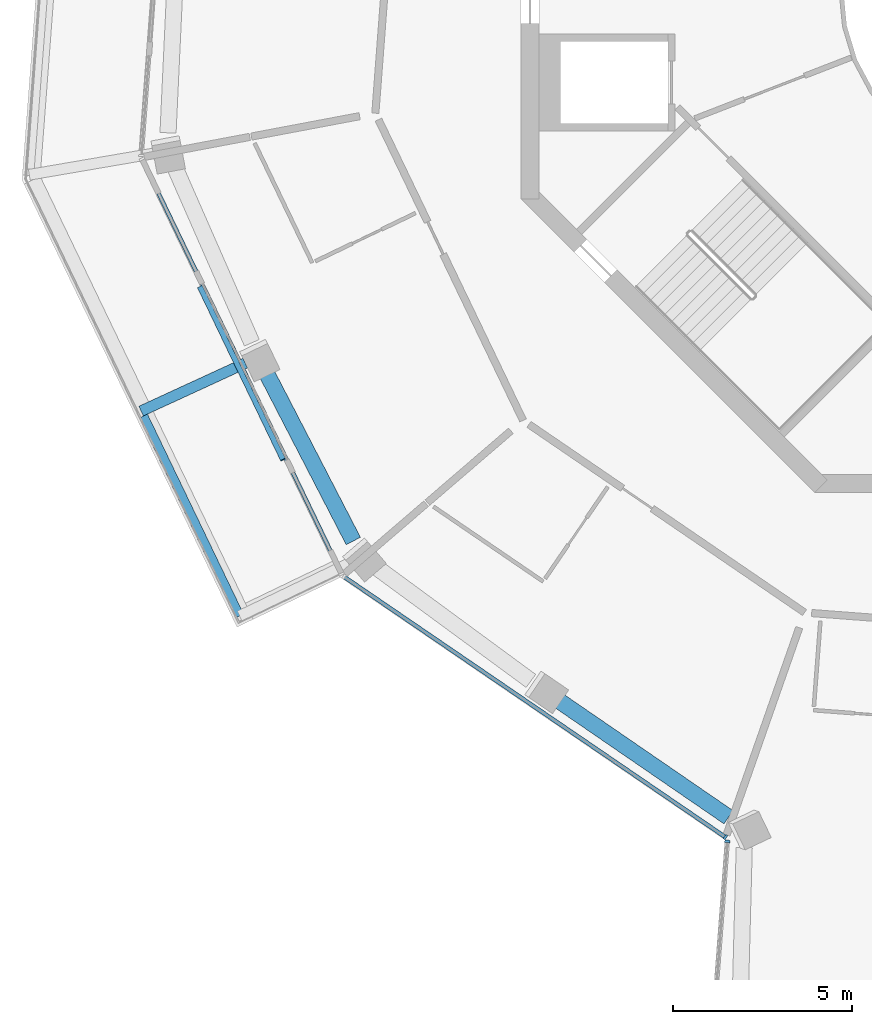
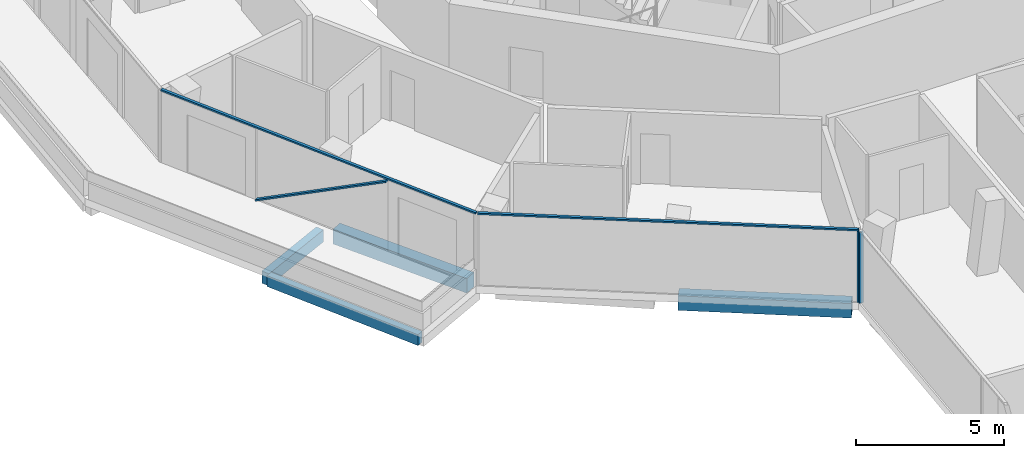
# One storey, part 3 of 23: 5 members, 4 beams, 3 elements without a shape of their own.
"""IFC4 building model written with IfcOpenShell, lengths in metres."""

import ifcopenshell
import ifcopenshell.guid

model = None  # the IFC model being written
_history = None  # IfcOwnerHistory: only IFC2X3 demands one
_inside = {}  # id of a spatial element -> (the spatial element, [elements in it])
_under = {}  # id of a project, library or spatial element -> (it, [spatial elements below it])
_declared = {}  # id of a project -> (the project, [libraries it declares])
_typed = {}  # id of a type object -> (the type object, [elements of that type])
_made_of = {}  # id of a material, layer set ... -> (it, [elements and type objects made of it])


def new_model(schema):
    """Start an empty IFC model of exactly this schema.

    Asked for "IFC4X3", IfcOpenShell would pick the latest addendum, in which some entities
    have other attributes; the version numbers below select the first issue.
    IFC2X3 requires an IfcOwnerHistory on every rooted entity: one is made here for all.
    """
    global model, _history
    if schema == "IFC4X3":
        model = ifcopenshell.file(schema_version=(4, 3, 0, 0))
    else:
        model = ifcopenshell.file(schema=schema)
    _inside.clear()
    _under.clear()
    _declared.clear()
    _typed.clear()
    _made_of.clear()
    _history = None
    if model.schema == "IFC2X3":
        org = make("IfcOrganization", Name="unknown")
        user = make(
            "IfcPersonAndOrganization",
            ThePerson=make("IfcPerson", FamilyName="unknown"),
            TheOrganization=org,
        )
        app = make(
            "IfcApplication",
            ApplicationDeveloper=org,
            Version="unknown",
            ApplicationFullName="unknown",
            ApplicationIdentifier="unknown",
        )
        _history = make(
            "IfcOwnerHistory",
            OwningUser=user,
            OwningApplication=app,
            ChangeAction="ADDED",
            CreationDate=0,
        )
    return model


def make(cls, **values):
    """One entity of the class cls with the attributes given. An attribute that is None is left unset."""
    return model.create_entity(
        cls, **{name: value for name, value in values.items() if value is not None}
    )


def rooted(cls, **values):
    """An entity with a GlobalId (a new one), such as an element, a storey or a relation."""
    return make(cls, GlobalId=ifcopenshell.guid.new(), OwnerHistory=_history, **values)


def si_unit(unit_type, name, prefix=None):
    """IfcSIUnit, for example si_unit("LENGTHUNIT", "METRE", prefix="MILLI")."""
    return make("IfcSIUnit", UnitType=unit_type, Prefix=prefix, Name=name)


def assignment(units):
    """IfcUnitAssignment: the units of a project."""
    return None if units is None else make("IfcUnitAssignment", Units=units)


def point(xyz):
    """IfcCartesianPoint."""
    return None if xyz is None else make("IfcCartesianPoint", Coordinates=xyz)


def direction(xyz):
    """IfcDirection."""
    return None if xyz is None else make("IfcDirection", DirectionRatios=xyz)


def frame(location, z_axis=None, x_axis=None):
    """IfcAxis2Placement3D, a coordinate frame: its origin and axes. An axis left out is left unset."""
    return make(
        "IfcAxis2Placement3D",
        Location=point(location),
        Axis=direction(z_axis),
        RefDirection=direction(x_axis),
    )


def frame_2d(location, x_axis=None):
    """IfcAxis2Placement2D, a coordinate frame in the plane: its origin and x axis."""
    return make(
        "IfcAxis2Placement2D", Location=point(location), RefDirection=direction(x_axis)
    )


def origin():
    """The frame at (0, 0, 0) with its axes left unset."""
    return frame((0.0, 0.0, 0.0))


def origin_2d():
    """The frame at (0, 0) in the plane with its x axis left unset."""
    return frame_2d((0.0, 0.0))


def place(relative_to, where):
    """IfcLocalPlacement: puts the frame where relative to a parent placement (None: the world)."""
    return make(
        "IfcLocalPlacement", PlacementRelTo=relative_to, RelativePlacement=where
    )


def context(
    kind, dimensions, precision=None, world=None, true_north=None, identifier=None
):
    """IfcGeometricRepresentationContext, for example the 3D "Model" context."""
    return make(
        "IfcGeometricRepresentationContext",
        ContextIdentifier=identifier,
        ContextType=kind,
        CoordinateSpaceDimension=dimensions,
        Precision=precision,
        WorldCoordinateSystem=world,
        TrueNorth=true_north,
    )


def subcontext(parent, identifier, kind, view, scale=None):
    """IfcGeometricRepresentationSubContext, for example "Body" below "Model"."""
    return make(
        "IfcGeometricRepresentationSubContext",
        ContextIdentifier=identifier,
        ContextType=kind,
        ParentContext=parent,
        TargetScale=scale,
        TargetView=view,
    )


def project(units=None, contexts=None):
    """IfcProject with its units and contexts."""
    return rooted(
        "IfcProject",
        Name="project",
        RepresentationContexts=contexts,
        UnitsInContext=assignment(units),
    )


def spatial(cls, under=None, at=None, **own):
    """A site, building, storey or space (cls), placed at a placement, below another one or the project."""
    s = rooted(cls, ObjectPlacement=at, **own)
    if under is not None:
        _under.setdefault(under.id(), (under, []))[1].append(s)
    return s


def profile(cls, at=None, kind="AREA", **sizes):
    """A parametric profile (cls). Its sizes go by their IFC names, for example OverallWidth=200.0."""
    return make(cls, ProfileType=kind, Position=at, **sizes)


def rectangle(**sizes):
    """IfcRectangleProfileDef."""
    return profile("IfcRectangleProfileDef", **sizes)


def extrude(swept, where, along, depth):
    """IfcExtrudedAreaSolid: the profile swept, set in the frame where, extruded along a direction by depth."""
    return make(
        "IfcExtrudedAreaSolid",
        SweptArea=swept,
        Position=where,
        ExtrudedDirection=direction(along),
        Depth=depth,
    )


def shape(context_of_items, identifier, shape_type, items):
    """IfcShapeRepresentation: the items that make up one representation, for example the "Body"."""
    return make(
        "IfcShapeRepresentation",
        ContextOfItems=context_of_items,
        RepresentationIdentifier=identifier,
        RepresentationType=shape_type,
        Items=items,
    )


def material(Name=None, Category=None):
    """IfcMaterial."""
    return make("IfcMaterial", Name=Name, Category=Category)


def layer(
    of_material, thickness, ventilated=None, Name=None, Category=None, Priority=None
):
    """IfcMaterialLayer: one layer of a wall or slab, of a material (None: an air gap)."""
    return make(
        "IfcMaterialLayer",
        Material=of_material,
        LayerThickness=thickness,
        IsVentilated=ventilated,
        Name=Name,
        Category=Category,
        Priority=Priority,
    )


def layer_set(layers, Name=None):
    """IfcMaterialLayerSet."""
    return make("IfcMaterialLayerSet", MaterialLayers=layers, LayerSetName=Name)


def material_profile(
    of_material, cross_section, Name=None, Category=None, Priority=None
):
    """IfcMaterialProfile: a cross section and its material."""
    return make(
        "IfcMaterialProfile",
        Name=Name,
        Material=of_material,
        Profile=cross_section,
        Priority=Priority,
        Category=Category,
    )


def profile_set(profiles, Name=None, composite=None):
    """IfcMaterialProfileSet."""
    return make(
        "IfcMaterialProfileSet",
        Name=Name,
        MaterialProfiles=profiles,
        CompositeProfile=composite,
    )


def made_of(thing, what):
    """Note that an element or type object is made of a material, layer set ...; save() writes the relation."""
    if what is not None:
        _made_of.setdefault(what.id(), (what, []))[1].append(thing)
    return thing


def type_object(cls, material=None, **own):
    """A type object (cls), such as IfcWallType, which elements share."""
    return made_of(rooted(cls, **own), material)


def element(
    cls,
    number,
    at=None,
    inside=None,
    cuts=None,
    type_object=None,
    material=None,
    context=None,
    identifier="Body",
    shape_type=None,
    held_by="IfcProductDefinitionShape",
    body=None,
    shapes=None,
    **own,
):
    """One element of the class cls, such as IfcWall. Its Tag is "e" and its number.

    at: its placement. inside: the storey or other place that contains it. cuts: it is an
    opening in that element (IfcRelVoidsElement). A single representation is given by context,
    identifier, shape_type and body (its items); several are given by shapes. held_by: the class
    of the entity that holds the representations. save() writes the other relations.
    """
    e = rooted(cls, Tag="e%d" % number, ObjectPlacement=at, **own)
    if body is not None:
        shapes = [shape(context, identifier, shape_type, body)]
    if shapes is not None:
        e.Representation = make(held_by, Representations=shapes)
    if inside is not None:
        _inside.setdefault(inside.id(), (inside, []))[1].append(e)
    if cuts is not None:
        rooted(
            "IfcRelVoidsElement", RelatingBuildingElement=cuts, RelatedOpeningElement=e
        )
    if type_object is not None:
        _typed.setdefault(type_object.id(), (type_object, []))[1].append(e)
    return made_of(e, material)


def aggregate(whole, parts):
    """IfcRelAggregates: a whole, such as a stair, and the parts it consists of."""
    return rooted("IfcRelAggregates", RelatingObject=whole, RelatedObjects=parts)


def save(model, path):
    """Write the relations noted so far, then the file.

    IfcRelAggregates (storeys below a building ...), IfcRelContainedInSpatialStructure (elements
    in a storey), IfcRelDefinesByType, IfcRelAssociatesMaterial and IfcRelDeclares: one each for
    every whole, place, type object, material and project.
    """
    for whole, parts in _under.values():
        aggregate(whole, parts)
    for where, things in _inside.values():
        rooted(
            "IfcRelContainedInSpatialStructure",
            RelatedElements=things,
            RelatingStructure=where,
        )
    for kind, things in _typed.values():
        rooted("IfcRelDefinesByType", RelatedObjects=things, RelatingType=kind)
    for what, things in _made_of.values():
        rooted("IfcRelAssociatesMaterial", RelatedObjects=things, RelatingMaterial=what)
    for by, libraries in _declared.values():
        rooted("IfcRelDeclares", RelatingContext=by, RelatedDefinitions=libraries)
    model.write(path)


model = new_model("IFC4")

# Units and contexts
model_context = context("Model", 3, precision=1e-05, world=origin(), true_north=direction((0.0, 1.0)))
body_context = subcontext(model_context, "Body", "Model", "MODEL_VIEW")
ifc_project = project(units=[si_unit("LENGTHUNIT", "METRE"), si_unit("AREAUNIT", "SQUARE_METRE"), si_unit("VOLUMEUNIT", "CUBIC_METRE"), si_unit("PLANEANGLEUNIT", "RADIAN"), si_unit("MASSUNIT", "GRAM", prefix="KILO")], contexts=[model_context])

# Site, building, storey
site_placement = place(None, origin())
site = spatial("IfcSite", under=ifc_project, at=site_placement, CompositionType="ELEMENT")
building_placement = place(site_placement, origin())
building = spatial("IfcBuilding", under=site, at=building_placement, Name="Verdalira Terraces Hotel", CompositionType="ELEMENT")
storey_placement = place(building_placement, frame((0.0, 0.0, 259.5)))
storey = spatial("IfcBuildingStorey", under=building, at=storey_placement, Name="L64", CompositionType="ELEMENT", Elevation=259.5)

# Beams
ifc_material_1 = material(Name="Concrete C40", Category="concrete")
ifc_material_profile_1 = material_profile(ifc_material_1, rectangle(XDim=0.300049, YDim=0.5, at=origin_2d()), Name="RC 300X500")
ifc_profile_set_1 = profile_set([ifc_material_profile_1], Name="Concrete C40")
beam_type_1 = type_object("IfcBeamType", Name="Balcony cantilever beam RC 300X500 C40", PredefinedType="BEAM", material=ifc_profile_set_1)
beam_1_placement = place(storey_placement, frame((-21.699951, -10.387695, -0.560059), z_axis=(-0.908349663, -0.418211538, 0.0), x_axis=(0.418211538, -0.908349663, 0.0)))
element("IfcBeam", 1, at=beam_1_placement, inside=storey, type_object=beam_type_1, Name="Balcony cantilever beam R11-1", PredefinedType="BEAM", context=body_context, shape_type="SweptSolid", body=[
    extrude(rectangle(XDim=0.300049, YDim=0.5, at=origin_2d()), origin(), (0.0, 0.0, 1.0), 3.200928),
])
ifc_material_2 = material(Name="Concrete C40", Category="concrete")
ifc_material_profile_2 = material_profile(ifc_material_2, rectangle(XDim=0.25, YDim=0.449951, at=origin_2d()), Name="RC 250X450")
ifc_profile_set_2 = profile_set([ifc_material_profile_2], Name="Concrete C40")
beam_type_2 = type_object("IfcBeamType", Name="Balcony edge beam RC 250X450 C40", PredefinedType="BEAM", material=ifc_profile_set_2)
beam_2_placement = place(storey_placement, frame((-24.54248, -11.861572, -0.534912), z_axis=(0.433353521, -0.901224016, 0.0), x_axis=(0.901224016, 0.433353521, 0.0)))
element("IfcBeam", 2, at=beam_2_placement, inside=storey, type_object=beam_type_2, Name="Balcony edge beam R11-1", PredefinedType="BEAM", context=body_context, shape_type="SweptSolid", body=[
    extrude(rectangle(XDim=0.25, YDim=0.449951, at=origin_2d()), origin(), (0.0, 0.0, 1.0), 6.196045),
])

# Curtain wall, member
ifc_material_3 = material(Name="Clear glass", Category="glass")
ifc_layer_1 = layer(ifc_material_3, 0.14990234375)
ifc_layer_set_1 = layer_set([ifc_layer_1], Name="CW1 curtain wall")
curtain_wall_type_1 = type_object("IfcCurtainWallType", Name="CW1 curtain wall", PredefinedType="NOTDEFINED", material=ifc_layer_set_1)
curtain_wall_1_placement = place(storey_placement, origin())
curtain_wall_1 = element("IfcCurtainWall", 3, at=curtain_wall_1_placement, inside=storey, type_object=curtain_wall_type_1, Name="CW1 curtain wall L64 edge 13", PredefinedType="NOTDEFINED")
ifc_material_4 = material(Name="Terracotta frame", Category="masonry")
ifc_material_profile_3 = material_profile(ifc_material_4, rectangle(XDim=0.060059, YDim=0.149902, at=origin_2d()), Name="MU 60x150")
ifc_profile_set_3 = profile_set([ifc_material_profile_3], Name="Terracotta frame")
member_type_1 = type_object("IfcMemberType", Name="CW1 mullion 60x150", PredefinedType="MULLION", material=ifc_profile_set_3)
member_1_placement = place(storey_placement, frame((-8.29126, -23.62085, 0.0), z_axis=(0.0, 0.0, 1.0), x_axis=(0.825901536, -0.563814377, 0.0)))
member_1 = element("IfcMember", 4, at=member_1_placement, type_object=member_type_1, Name="CW1 mullion", PredefinedType="MULLION", context=body_context, shape_type="SweptSolid", body=[
    extrude(rectangle(XDim=0.060059, YDim=0.149902, at=origin_2d()), origin(), (0.0, 0.0, 1.0), 2.935059),
])

curtain_wall_2_placement = place(storey_placement, origin())
curtain_wall_2 = element("IfcCurtainWall", 5, at=curtain_wall_2_placement, inside=storey, type_object=curtain_wall_type_1, Name="CW1 curtain wall L64 edge 12", PredefinedType="NOTDEFINED")
ifc_material_5 = material(Name="Terracotta frame", Category="masonry")
ifc_material_profile_4 = material_profile(ifc_material_5, rectangle(XDim=0.110107, YDim=0.064941, at=origin_2d()), Name="TR 65x110")
ifc_profile_set_4 = profile_set([ifc_material_profile_4], Name="Terracotta frame")
member_type_2 = type_object("IfcMemberType", Name="CW1 transom 65x110", PredefinedType="USERDEFINED", material=ifc_profile_set_4)
member_2_placement = place(storey_placement, frame((-24.593994, -4.657959, 2.967529), z_axis=(0.433342843, -0.90122915, 0.0), x_axis=(0.90122915, 0.433342843, 0.0)))
member_2 = element("IfcMember", 6, at=member_2_placement, type_object=member_type_2, Name="CW1 transom", ObjectType="TRANSOM", PredefinedType="USERDEFINED", context=body_context, shape_type="SweptSolid", body=[
    extrude(rectangle(XDim=0.110107, YDim=0.064941, at=origin_2d()), origin(), (0.0, 0.0, 1.0), 12.919678),
])

# Member
member_3_placement = place(storey_placement, frame((-18.969971, -16.330811, 2.967529), z_axis=(0.825890417, -0.563830665, 0.0), x_axis=(0.563830665, 0.825890417, 0.0)))
member_3 = element("IfcMember", 7, at=member_3_placement, type_object=member_type_2, Name="CW1 transom", ObjectType="TRANSOM", PredefinedType="USERDEFINED", context=body_context, shape_type="SweptSolid", body=[
    extrude(rectangle(XDim=0.110107, YDim=0.064941, at=origin_2d()), origin(), (0.0, 0.0, 1.0), 12.959717),
])

aggregate(curtain_wall_1, [member_1, member_3])

# Curtain wall, member
ifc_material_6 = material(Name="Clear glass", Category="glass")
ifc_layer_2 = layer(ifc_material_6, 0.14990234375)
ifc_layer_set_2 = layer_set([ifc_layer_2], Name="CW2 curtain wall")
curtain_wall_type_2 = type_object("IfcCurtainWallType", Name="CW2 curtain wall", PredefinedType="NOTDEFINED", material=ifc_layer_set_2)
curtain_wall_3_placement = place(storey_placement, origin())
curtain_wall_3 = element("IfcCurtainWall", 8, at=curtain_wall_3_placement, inside=storey, type_object=curtain_wall_type_2, Name="CW2 curtain wall L64 edge 14", PredefinedType="NOTDEFINED")
ifc_material_7 = material(Name="Terracotta frame", Category="masonry")
ifc_material_profile_5 = material_profile(ifc_material_7, rectangle(XDim=0.070068, YDim=0.149902, at=origin_2d()), Name="MU 70x150")
ifc_profile_set_5 = profile_set([ifc_material_profile_5], Name="Terracotta frame")
member_type_3 = type_object("IfcMemberType", Name="CW2 mullion 70x150", PredefinedType="MULLION", material=ifc_profile_set_5)
member_4_placement = place(storey_placement, frame((-8.236572, -23.740234, 0.0), z_axis=(0.0, 0.0, 1.0), x_axis=(-0.075326806, -0.9971589, 0.0)))
member_4 = element("IfcMember", 9, at=member_4_placement, type_object=member_type_3, Name="CW2 mullion", PredefinedType="MULLION", context=body_context, shape_type="SweptSolid", body=[
    extrude(rectangle(XDim=0.070068, YDim=0.149902, at=origin_2d()), origin(), (0.0, 0.0, 1.0), 2.935059),
])
aggregate(curtain_wall_3, [member_4])

# Member
ifc_material_8 = material(Name="Terracotta frame", Category="masonry")
ifc_material_profile_6 = material_profile(ifc_material_8, rectangle(XDim=0.149902, YDim=0.060059, at=origin_2d()), Name="GB 60x150")
ifc_profile_set_6 = profile_set([ifc_material_profile_6], Name="Terracotta frame")
member_type_4 = type_object("IfcMemberType", Name="Diagonal glazing bar 60x150", PredefinedType="USERDEFINED", material=ifc_profile_set_6)
member_5_placement = place(storey_placement, frame((-22.961426, -8.258789, 0.027344), z_axis=(0.381596319, -0.79359984, 0.473902461), x_axis=(0.901226731, 0.433347874, 0.0)))
member_5 = element("IfcMember", 10, at=member_5_placement, type_object=member_type_4, Name="Diagonal glazing bar", ObjectType="GLAZING BAR", PredefinedType="USERDEFINED", context=body_context, shape_type="SweptSolid", body=[
    extrude(rectangle(XDim=0.149902, YDim=0.060059, at=origin_2d()), origin(), (0.0, 0.0, 1.0), 6.077881),
])

aggregate(curtain_wall_2, [member_2, member_5])

# Beams
ifc_material_9 = material(Name="Concrete C40", Category="concrete")
ifc_material_profile_7 = material_profile(ifc_material_9, rectangle(XDim=0.449951, YDim=0.600098, at=origin_2d()), Name="RC 450X600")
ifc_profile_set_7 = profile_set([ifc_material_profile_7], Name="Concrete C40")
beam_type_3 = type_object("IfcBeamType", Name="Spandrel beam RC 450X600 C40", PredefinedType="SPANDREL", material=ifc_profile_set_7)
beam_3_placement = place(storey_placement, frame((-21.15918, -10.560791, -0.610107), z_axis=(0.459229608, -0.888317605, 0.0), x_axis=(0.888317605, 0.459229608, 0.0)))
element("IfcBeam", 11, at=beam_3_placement, inside=storey, type_object=beam_type_3, Name="Spandrel beam B05", PredefinedType="SPANDREL", context=body_context, shape_type="SweptSolid", body=[
    extrude(rectangle(XDim=0.449951, YDim=0.600098, at=origin_2d()), origin(), (0.0, 0.0, 1.0), 5.394531),
])
beam_4_placement = place(storey_placement, frame((-13.061279, -19.729492, -0.610107), z_axis=(0.824243766, -0.566235123, 0.0), x_axis=(0.566235123, 0.824243766, 0.0)))
element("IfcBeam", 12, at=beam_4_placement, inside=storey, type_object=beam_type_3, Name="Spandrel beam B07", PredefinedType="SPANDREL", context=body_context, shape_type="SweptSolid", body=[
    extrude(rectangle(XDim=0.449951, YDim=0.600098, at=origin_2d()), origin(), (0.0, 0.0, 1.0), 5.892334),
])

save(model, "model.ifc")
